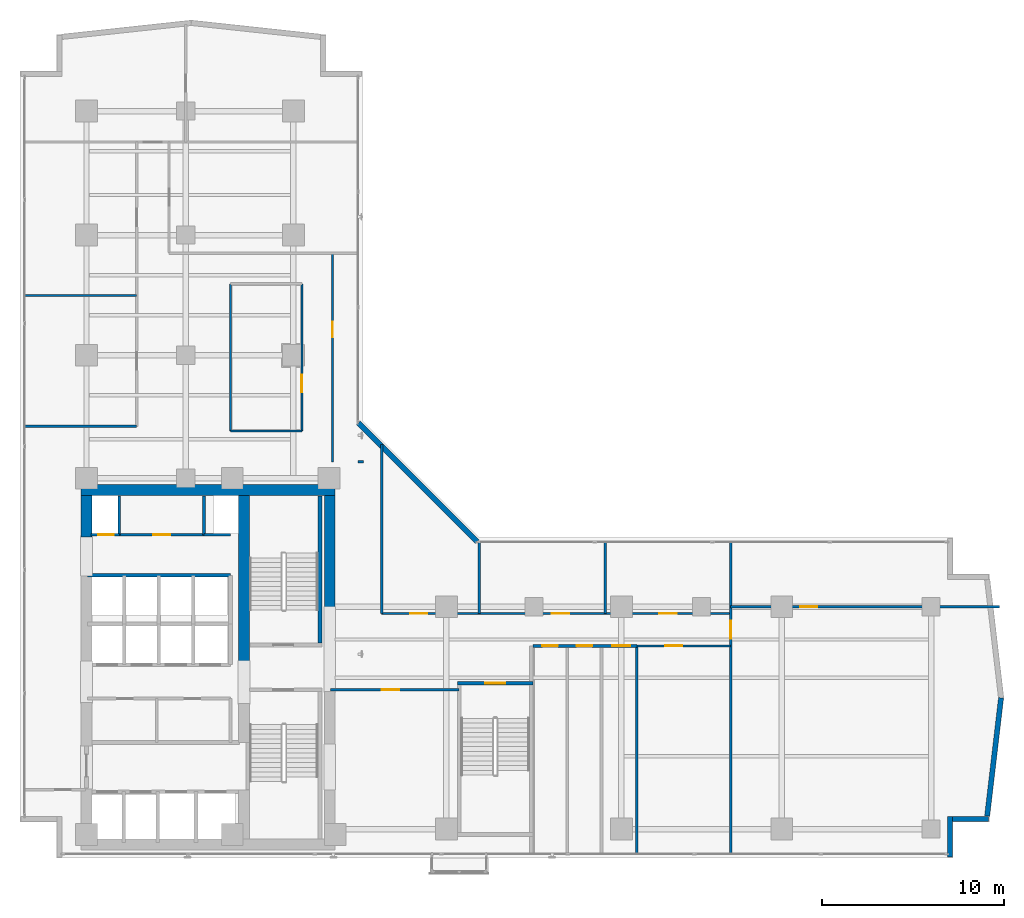
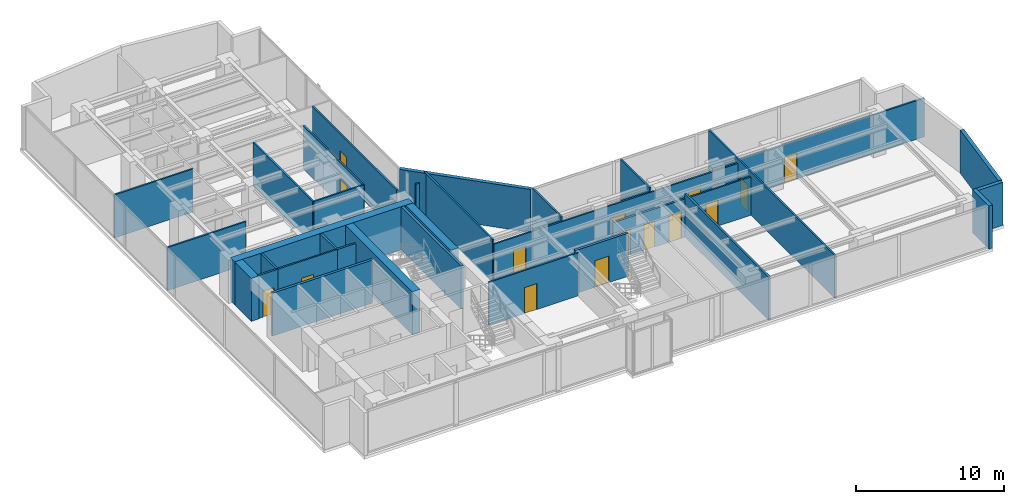
# One storey, part 20 of 24: 33 walls, 15 doors, 15 openings.
"""IFC4 building model written with IfcOpenShell, lengths in metres."""

import ifcopenshell
import ifcopenshell.guid

model = None  # the IFC model being written
_history = None  # IfcOwnerHistory: only IFC2X3 demands one
_inside = {}  # id of a spatial element -> (the spatial element, [elements in it])
_under = {}  # id of a project, library or spatial element -> (it, [spatial elements below it])
_declared = {}  # id of a project -> (the project, [libraries it declares])
_typed = {}  # id of a type object -> (the type object, [elements of that type])
_made_of = {}  # id of a material, layer set ... -> (it, [elements and type objects made of it])


def new_model(schema):
    """Start an empty IFC model of exactly this schema.

    Asked for "IFC4X3", IfcOpenShell would pick the latest addendum, in which some entities
    have other attributes; the version numbers below select the first issue.
    IFC2X3 requires an IfcOwnerHistory on every rooted entity: one is made here for all.
    """
    global model, _history
    if schema == "IFC4X3":
        model = ifcopenshell.file(schema_version=(4, 3, 0, 0))
    else:
        model = ifcopenshell.file(schema=schema)
    _inside.clear()
    _under.clear()
    _declared.clear()
    _typed.clear()
    _made_of.clear()
    _history = None
    if model.schema == "IFC2X3":
        org = make("IfcOrganization", Name="unknown")
        user = make(
            "IfcPersonAndOrganization",
            ThePerson=make("IfcPerson", FamilyName="unknown"),
            TheOrganization=org,
        )
        app = make(
            "IfcApplication",
            ApplicationDeveloper=org,
            Version="unknown",
            ApplicationFullName="unknown",
            ApplicationIdentifier="unknown",
        )
        _history = make(
            "IfcOwnerHistory",
            OwningUser=user,
            OwningApplication=app,
            ChangeAction="ADDED",
            CreationDate=0,
        )
    return model


def make(cls, **values):
    """One entity of the class cls with the attributes given. An attribute that is None is left unset."""
    return model.create_entity(
        cls, **{name: value for name, value in values.items() if value is not None}
    )


def rooted(cls, **values):
    """An entity with a GlobalId (a new one), such as an element, a storey or a relation."""
    return make(cls, GlobalId=ifcopenshell.guid.new(), OwnerHistory=_history, **values)


def si_unit(unit_type, name, prefix=None):
    """IfcSIUnit, for example si_unit("LENGTHUNIT", "METRE", prefix="MILLI")."""
    return make("IfcSIUnit", UnitType=unit_type, Prefix=prefix, Name=name)


def assignment(units):
    """IfcUnitAssignment: the units of a project."""
    return None if units is None else make("IfcUnitAssignment", Units=units)


def point(xyz):
    """IfcCartesianPoint."""
    return None if xyz is None else make("IfcCartesianPoint", Coordinates=xyz)


def direction(xyz):
    """IfcDirection."""
    return None if xyz is None else make("IfcDirection", DirectionRatios=xyz)


def frame(location, z_axis=None, x_axis=None):
    """IfcAxis2Placement3D, a coordinate frame: its origin and axes. An axis left out is left unset."""
    return make(
        "IfcAxis2Placement3D",
        Location=point(location),
        Axis=direction(z_axis),
        RefDirection=direction(x_axis),
    )


def frame_2d(location, x_axis=None):
    """IfcAxis2Placement2D, a coordinate frame in the plane: its origin and x axis."""
    return make(
        "IfcAxis2Placement2D", Location=point(location), RefDirection=direction(x_axis)
    )


def origin():
    """The frame at (0, 0, 0) with its axes left unset."""
    return frame((0.0, 0.0, 0.0))


def place(relative_to, where):
    """IfcLocalPlacement: puts the frame where relative to a parent placement (None: the world)."""
    return make(
        "IfcLocalPlacement", PlacementRelTo=relative_to, RelativePlacement=where
    )


def context(
    kind, dimensions, precision=None, world=None, true_north=None, identifier=None
):
    """IfcGeometricRepresentationContext, for example the 3D "Model" context."""
    return make(
        "IfcGeometricRepresentationContext",
        ContextIdentifier=identifier,
        ContextType=kind,
        CoordinateSpaceDimension=dimensions,
        Precision=precision,
        WorldCoordinateSystem=world,
        TrueNorth=true_north,
    )


def subcontext(parent, identifier, kind, view, scale=None):
    """IfcGeometricRepresentationSubContext, for example "Body" below "Model"."""
    return make(
        "IfcGeometricRepresentationSubContext",
        ContextIdentifier=identifier,
        ContextType=kind,
        ParentContext=parent,
        TargetScale=scale,
        TargetView=view,
    )


def project(units=None, contexts=None):
    """IfcProject with its units and contexts."""
    return rooted(
        "IfcProject",
        Name="project",
        RepresentationContexts=contexts,
        UnitsInContext=assignment(units),
    )


def spatial(cls, under=None, at=None, **own):
    """A site, building, storey or space (cls), placed at a placement, below another one or the project."""
    s = rooted(cls, ObjectPlacement=at, **own)
    if under is not None:
        _under.setdefault(under.id(), (under, []))[1].append(s)
    return s


def profile(cls, at=None, kind="AREA", **sizes):
    """A parametric profile (cls). Its sizes go by their IFC names, for example OverallWidth=200.0."""
    return make(cls, ProfileType=kind, Position=at, **sizes)


def rectangle(**sizes):
    """IfcRectangleProfileDef."""
    return profile("IfcRectangleProfileDef", **sizes)


def extrude(swept, where, along, depth):
    """IfcExtrudedAreaSolid: the profile swept, set in the frame where, extruded along a direction by depth."""
    return make(
        "IfcExtrudedAreaSolid",
        SweptArea=swept,
        Position=where,
        ExtrudedDirection=direction(along),
        Depth=depth,
    )


def shape(context_of_items, identifier, shape_type, items):
    """IfcShapeRepresentation: the items that make up one representation, for example the "Body"."""
    return make(
        "IfcShapeRepresentation",
        ContextOfItems=context_of_items,
        RepresentationIdentifier=identifier,
        RepresentationType=shape_type,
        Items=items,
    )


def material(Name=None, Category=None):
    """IfcMaterial."""
    return make("IfcMaterial", Name=Name, Category=Category)


def layer(
    of_material, thickness, ventilated=None, Name=None, Category=None, Priority=None
):
    """IfcMaterialLayer: one layer of a wall or slab, of a material (None: an air gap)."""
    return make(
        "IfcMaterialLayer",
        Material=of_material,
        LayerThickness=thickness,
        IsVentilated=ventilated,
        Name=Name,
        Category=Category,
        Priority=Priority,
    )


def layer_set(layers, Name=None):
    """IfcMaterialLayerSet."""
    return make("IfcMaterialLayerSet", MaterialLayers=layers, LayerSetName=Name)


def made_of(thing, what):
    """Note that an element or type object is made of a material, layer set ...; save() writes the relation."""
    if what is not None:
        _made_of.setdefault(what.id(), (what, []))[1].append(thing)
    return thing


def type_object(cls, material=None, **own):
    """A type object (cls), such as IfcWallType, which elements share."""
    return made_of(rooted(cls, **own), material)


def element(
    cls,
    number,
    at=None,
    inside=None,
    cuts=None,
    type_object=None,
    material=None,
    context=None,
    identifier="Body",
    shape_type=None,
    held_by="IfcProductDefinitionShape",
    body=None,
    shapes=None,
    **own,
):
    """One element of the class cls, such as IfcWall. Its Tag is "e" and its number.

    at: its placement. inside: the storey or other place that contains it. cuts: it is an
    opening in that element (IfcRelVoidsElement). A single representation is given by context,
    identifier, shape_type and body (its items); several are given by shapes. held_by: the class
    of the entity that holds the representations. save() writes the other relations.
    """
    e = rooted(cls, Tag="e%d" % number, ObjectPlacement=at, **own)
    if body is not None:
        shapes = [shape(context, identifier, shape_type, body)]
    if shapes is not None:
        e.Representation = make(held_by, Representations=shapes)
    if inside is not None:
        _inside.setdefault(inside.id(), (inside, []))[1].append(e)
    if cuts is not None:
        rooted(
            "IfcRelVoidsElement", RelatingBuildingElement=cuts, RelatedOpeningElement=e
        )
    if type_object is not None:
        _typed.setdefault(type_object.id(), (type_object, []))[1].append(e)
    return made_of(e, material)


def fill(opening, filler):
    """IfcRelFillsElement: the door or window that sits in an opening."""
    return rooted(
        "IfcRelFillsElement",
        RelatingOpeningElement=opening,
        RelatedBuildingElement=filler,
    )


def aggregate(whole, parts):
    """IfcRelAggregates: a whole, such as a stair, and the parts it consists of."""
    return rooted("IfcRelAggregates", RelatingObject=whole, RelatedObjects=parts)


def save(model, path):
    """Write the relations noted so far, then the file.

    IfcRelAggregates (storeys below a building ...), IfcRelContainedInSpatialStructure (elements
    in a storey), IfcRelDefinesByType, IfcRelAssociatesMaterial and IfcRelDeclares: one each for
    every whole, place, type object, material and project.
    """
    for whole, parts in _under.values():
        aggregate(whole, parts)
    for where, things in _inside.values():
        rooted(
            "IfcRelContainedInSpatialStructure",
            RelatedElements=things,
            RelatingStructure=where,
        )
    for kind, things in _typed.values():
        rooted("IfcRelDefinesByType", RelatedObjects=things, RelatingType=kind)
    for what, things in _made_of.values():
        rooted("IfcRelAssociatesMaterial", RelatedObjects=things, RelatingMaterial=what)
    for by, libraries in _declared.values():
        rooted("IfcRelDeclares", RelatingContext=by, RelatedDefinitions=libraries)
    model.write(path)


model = new_model("IFC4")

# Units and contexts
model_context = context("Model", 3, precision=1e-05, world=origin(), true_north=direction((0.0, 1.0)))
body_context = subcontext(model_context, "Body", "Model", "MODEL_VIEW")
ifc_project = project(units=[si_unit("LENGTHUNIT", "METRE"), si_unit("AREAUNIT", "SQUARE_METRE"), si_unit("VOLUMEUNIT", "CUBIC_METRE"), si_unit("PLANEANGLEUNIT", "RADIAN"), si_unit("MASSUNIT", "GRAM", prefix="KILO")], contexts=[model_context])

# Site, building, storey
site_placement = place(None, origin())
site = spatial("IfcSite", under=ifc_project, at=site_placement, CompositionType="ELEMENT")
building_placement = place(site_placement, origin())
building = spatial("IfcBuilding", under=site, at=building_placement, Name="Kolvaren Waterfront Exchange", CompositionType="ELEMENT")
storey_placement = place(building_placement, frame((0.0, 0.0, 184.199951171875)))
storey = spatial("IfcBuildingStorey", under=building, at=storey_placement, Name="L47", CompositionType="ELEMENT", Elevation=184.199951171875)

# Walls
ifc_material_1 = material(Name="Precast concrete C40/50", Category="concrete")
ifc_layer_1 = layer(ifc_material_1, 0.280029296875, Name="Precast concrete C40/50")
ifc_layer_set_1 = layer_set([ifc_layer_1], Name="Precast concrete C40/50")
wall_type_1 = type_object("IfcWallType", Name="ARC-EXT-TERR-280", PredefinedType="SOLIDWALL", material=ifc_layer_set_1)
wall_1_placement = place(storey_placement, frame((54.840087890625, 3.659912109375, 0.0), z_axis=(0.0, 0.0, 1.0), x_axis=(0.0, 1.0, 0.0)))
element("IfcWall", 1, at=wall_1_placement, inside=storey, type_object=wall_type_1, Name="L47 notched corner spandrel pier SE-A", PredefinedType="SOLIDWALL", context=body_context, shape_type="SweptSolid", body=[
    extrude(rectangle(XDim=2.239990234375, YDim=0.280029296875, at=frame_2d((1.1201171875, 0.0))), origin(), (0.0, 0.0, 1.0), 3.56005859375),
])
wall_2_placement = place(storey_placement, frame((54.97998046875, 5.760009765625, 0.0), z_axis=(0.0, 0.0, 1.0), x_axis=(1.0, 0.0, 0.0)))
element("IfcWall", 2, at=wall_2_placement, inside=storey, type_object=wall_type_1, Name="L47 notched corner spandrel pier SE-B", PredefinedType="SOLIDWALL", context=body_context, shape_type="SweptSolid", body=[
    extrude(rectangle(XDim=1.9599609375, YDim=0.280029296875, at=frame_2d((0.97998046875, 0.0))), origin(), (0.0, 0.0, 1.0), 3.56005859375),
])
wall_3_placement = place(storey_placement, frame((28.885009765625, 20.97509765625, 0.0), z_axis=(0.0, 0.0, 1.0), x_axis=(-0.707106781187, 0.707106781187, 0.0)))
element("IfcWall", 3, at=wall_3_placement, inside=storey, type_object=wall_type_1, Name="L47 notched corner spandrel pier ELBOW", PredefinedType="SOLIDWALL", context=body_context, shape_type="SweptSolid", body=[
    extrude(rectangle(XDim=9.20654296875, YDim=0.280029296875, at=frame_2d((4.603271484375, 0.0))), origin(), (0.0, 0.0, 1.0), 3.56005859375),
])
wall_4_placement = place(storey_placement, frame((56.876220703125, 5.91650390625, 0.0), z_axis=(0.0, 0.0, 1.0), x_axis=(0.11685426921, 0.993149072278, 0.0)))
element("IfcWall", 4, at=wall_4_placement, inside=storey, type_object=wall_type_1, Name="L47 east prow faceted facade wall 1", PredefinedType="SOLIDWALL", context=body_context, shape_type="SweptSolid", body=[
    extrude(rectangle(XDim=6.52685546875, YDim=0.280029296875, at=frame_2d((3.263427734375, 0.0))), origin(), (0.0, 0.0, 1.0), 3.56005859375),
])

# Wall, opening, door
ifc_material_2 = material(Name="Acoustic gypsum steel stud", Category="steel")
ifc_layer_2 = layer(ifc_material_2, 0.125, Name="Acoustic gypsum steel stud")
ifc_layer_set_2 = layer_set([ifc_layer_2], Name="Acoustic gypsum steel stud")
wall_type_2 = type_object("IfcWallType", Name="ARC-PART-125", PredefinedType="PARTITIONING", material=ifc_layer_set_2)
wall_5_placement = place(storey_placement, frame((9.25, 21.35009765625, 0.0), z_axis=(0.0, 0.0, 1.0), x_axis=(1.0, 0.0, 0.0)))
wall_5 = element("IfcWall", 5, at=wall_5_placement, inside=storey, type_object=wall_type_2, Name="L47 interior wall PW-L47-SVC-EX-S", PredefinedType="PARTITIONING", context=body_context, shape_type="SweptSolid", body=[
    extrude(rectangle(XDim=4.64990234375, YDim=0.125, at=frame_2d((2.324951171875, 0.0))), origin(), (0.0, 0.0, 1.0), 3.56005859375),
])
opening_1_placement = place(wall_5_placement, frame((1.85009765625, 0.0, 0.0)))
opening_1 = element("IfcOpeningElement", 6, at=opening_1_placement, cuts=wall_5, Name="Opening D02", PredefinedType="OPENING", context=body_context, shape_type="SweptSolid", body=[
    extrude(rectangle(XDim=0.949951171875, YDim=2.14990234375, at=frame_2d((0.47509765625, 1.074951171875))), frame((0.0, 0.072509765625, 0.0), z_axis=(0.0, -1.0, 0.0), x_axis=(1.0, 0.0, 0.0)), (0.0, 0.0, 1.0), 0.14501953125),
])
ifc_material_3 = material(Name="Oak veneer acoustic timber", Category="wood")
door_type_1 = type_object("IfcDoorType", Name="ARC-DR-950", OperationType="NOTDEFINED", PredefinedType="DOOR", material=ifc_material_3)
door_1_placement = place(opening_1_placement, origin())
door_1 = element("IfcDoor", 7, at=door_1_placement, inside=storey, type_object=door_type_1, Name="L47 door DR-L47-SVC-DR-1 (D02)", OperationType="SINGLE_SWING_LEFT", OverallHeight=2.14990234375, OverallWidth=0.949951171875, PredefinedType="DOOR", context=body_context, shape_type="SweptSolid", body=[
    extrude(rectangle(XDim=0.949951171875, YDim=2.14990234375, at=frame_2d((0.47509765625, 1.074951171875))), frame((0.0, 0.02490234375, 0.0), z_axis=(0.0, -1.0, 0.0), x_axis=(1.0, 0.0, 0.0)), (0.0, 0.0, 1.0), 0.050048828125),
])
fill(opening_1, door_1)

# Walls
wall_6_placement = place(storey_placement, frame((15.35009765625, 27.050048828125, 0.0), z_axis=(0.0, 0.0, 1.0), x_axis=(1.0, 0.0, 0.0)))
element("IfcWall", 8, at=wall_6_placement, inside=storey, type_object=wall_type_2, Name="L47 interior wall PW-L47-ISL-S", PredefinedType="PARTITIONING", context=body_context, shape_type="SweptSolid", body=[
    extrude(rectangle(XDim=3.919921875, YDim=0.125, at=frame_2d((1.9599609375, 0.0))), origin(), (0.0, 0.0, 1.0), 3.56005859375),
])
wall_7_placement = place(storey_placement, frame((15.35009765625, 27.050048828125, 0.0), z_axis=(0.0, 0.0, 1.0), x_axis=(0.0, 1.0, 0.0)))
element("IfcWall", 9, at=wall_7_placement, inside=storey, type_object=wall_type_2, Name="L47 interior wall PW-L47-ISL-W", PredefinedType="PARTITIONING", context=body_context, shape_type="SweptSolid", body=[
    extrude(rectangle(XDim=8.070068359375, YDim=0.125, at=frame_2d((4.03515625, 0.0))), origin(), (0.0, 0.0, 1.0), 3.56005859375),
])

# Wall, opening, door
wall_8_placement = place(storey_placement, frame((19.27001953125, 27.050048828125, 0.0), z_axis=(0.0, 0.0, 1.0), x_axis=(0.0, 1.0, 0.0)))
wall_8 = element("IfcWall", 10, at=wall_8_placement, inside=storey, type_object=wall_type_2, Name="L47 interior wall PW-L47-ISL-E", PredefinedType="PARTITIONING", context=body_context, shape_type="SweptSolid", body=[
    extrude(rectangle(XDim=8.070068359375, YDim=0.125, at=frame_2d((4.03515625, 0.0))), origin(), (0.0, 0.0, 1.0), 3.56005859375),
])
opening_2_placement = place(wall_8_placement, frame((2.126708984375, 0.0, 0.0)))
opening_2 = element("IfcOpeningElement", 11, at=opening_2_placement, cuts=wall_8, Name="Opening D02", PredefinedType="OPENING", context=body_context, shape_type="SweptSolid", body=[
    extrude(rectangle(XDim=0.949951171875, YDim=2.14990234375, at=frame_2d((0.47509765625, 1.074951171875))), frame((0.0, 0.072509765625, 0.0), z_axis=(0.0, -1.0, 0.0), x_axis=(1.0, 0.0, 0.0)), (0.0, 0.0, 1.0), 0.14501953125),
])
door_2_placement = place(opening_2_placement, origin())
door_2 = element("IfcDoor", 12, at=door_2_placement, inside=storey, type_object=door_type_1, Name="L47 door DR-L47-ISL-D (D02)", OperationType="SINGLE_SWING_RIGHT", OverallHeight=2.14990234375, OverallWidth=0.949951171875, PredefinedType="DOOR", context=body_context, shape_type="SweptSolid", body=[
    extrude(rectangle(XDim=0.949951171875, YDim=2.14990234375, at=frame_2d((0.47509765625, 1.074951171875))), frame((0.0, 0.02490234375, 0.0), z_axis=(0.0, -1.0, 0.0), x_axis=(1.0, 0.0, 0.0)), (0.0, 0.0, 1.0), 0.050048828125),
])
fill(opening_2, door_2)

wall_9_placement = place(storey_placement, frame((20.85009765625, 12.85009765625, 0.0), z_axis=(0.0, 0.0, 1.0), x_axis=(1.0, 0.0, 0.0)))
wall_9 = element("IfcWall", 13, at=wall_9_placement, inside=storey, type_object=wall_type_2, Name="L47 interior wall PW-L47-SWST3-N", PredefinedType="PARTITIONING", context=body_context, shape_type="SweptSolid", body=[
    extrude(rectangle(XDim=7.0498046875, YDim=0.125, at=frame_2d((3.52490234375, 0.0))), origin(), (0.0, 0.0, 1.0), 3.56005859375),
])
opening_3_placement = place(wall_9_placement, frame((2.800048828125, 0.0, 0.0)))
opening_3 = element("IfcOpeningElement", 14, at=opening_3_placement, cuts=wall_9, Name="Opening D02", PredefinedType="OPENING", context=body_context, shape_type="SweptSolid", body=[
    extrude(rectangle(XDim=0.949951171875, YDim=2.14990234375, at=frame_2d((0.47509765625, 1.074951171875))), frame((0.0, 0.072509765625, 0.0), z_axis=(0.0, -1.0, 0.0), x_axis=(1.0, 0.0, 0.0)), (0.0, 0.0, 1.0), 0.14501953125),
])
door_3_placement = place(opening_3_placement, origin())
door_3 = element("IfcDoor", 15, at=door_3_placement, inside=storey, type_object=door_type_1, Name="L47 door DR-L47-SWST3-D (D02)", OperationType="SINGLE_SWING_LEFT", OverallHeight=2.14990234375, OverallWidth=0.949951171875, PredefinedType="DOOR", context=body_context, shape_type="SweptSolid", body=[
    extrude(rectangle(XDim=0.949951171875, YDim=2.14990234375, at=frame_2d((0.47509765625, 1.074951171875))), frame((0.0, 0.02490234375, 0.0), z_axis=(0.0, -1.0, 0.0), x_axis=(1.0, 0.0, 0.0)), (0.0, 0.0, 1.0), 0.050048828125),
])
fill(opening_3, door_3)

wall_10_placement = place(storey_placement, frame((20.949951171875, 25.35009765625, 0.0), z_axis=(0.0, 0.0, 1.0), x_axis=(0.0, 1.0, 0.0)))
wall_10 = element("IfcWall", 16, at=wall_10_placement, inside=storey, type_object=wall_type_2, Name="L47 interior wall PW-L47-RFLANK-W", PredefinedType="PARTITIONING", context=body_context, shape_type="SweptSolid", body=[
    extrude(rectangle(XDim=11.449951171875, YDim=0.125, at=frame_2d((5.72509765625, 0.0))), origin(), (0.0, 0.0, 1.0), 3.56005859375),
])
opening_4_placement = place(wall_10_placement, frame((6.834716796875, 0.0, 0.0)))
opening_4 = element("IfcOpeningElement", 17, at=opening_4_placement, cuts=wall_10, Name="Opening D01", PredefinedType="OPENING", context=body_context, shape_type="SweptSolid", body=[
    extrude(rectangle(XDim=0.85009765625, YDim=2.14990234375, at=frame_2d((0.425048828125, 1.074951171875))), frame((0.0, 0.072509765625, 0.0), z_axis=(0.0, -1.0, 0.0), x_axis=(1.0, 0.0, 0.0)), (0.0, 0.0, 1.0), 0.14501953125),
])
ifc_material_4 = material(Name="Oak veneer timber leaf", Category="wood")
door_type_2 = type_object("IfcDoorType", Name="ARC-DR-900", OperationType="NOTDEFINED", PredefinedType="DOOR", material=ifc_material_4)
door_4_placement = place(opening_4_placement, origin())
door_4 = element("IfcDoor", 18, at=door_4_placement, inside=storey, type_object=door_type_2, Name="L47 door DR-L47-RFLANK-D (D01)", OperationType="SINGLE_SWING_RIGHT", OverallHeight=2.14990234375, OverallWidth=0.85009765625, PredefinedType="DOOR", context=body_context, shape_type="SweptSolid", body=[
    extrude(rectangle(XDim=0.85009765625, YDim=2.14990234375, at=frame_2d((0.425048828125, 1.074951171875))), frame((0.0, 0.02490234375, 0.0), z_axis=(0.0, -1.0, 0.0), x_axis=(1.0, 0.0, 0.0)), (0.0, 0.0, 1.0), 0.050048828125),
])
fill(opening_4, door_4)

# Wall
wall_11_placement = place(storey_placement, frame((22.64990234375, 25.35009765625, 0.0), z_axis=(0.0, 0.0, 1.0), x_axis=(-1.0, 0.0, 0.0)))
element("IfcWall", 19, at=wall_11_placement, inside=storey, type_object=wall_type_2, Name="L47 interior wall PW-L47-RFLANK-S", PredefinedType="PARTITIONING", context=body_context, shape_type="SweptSolid", body=[
    extrude(rectangle(XDim=0.289794921875, YDim=0.125, at=frame_2d((0.14501953125, 0.0))), origin(), (0.0, 0.0, 1.0), 3.56005859375),
])

# Wall, opening, door
wall_12_placement = place(storey_placement, frame((37.64990234375, 15.25, 0.0), z_axis=(0.0, 0.0, 1.0), x_axis=(1.0, 0.0, 0.0)))
wall_12 = element("IfcWall", 20, at=wall_12_placement, inside=storey, type_object=wall_type_2, Name="L47 interior wall PW-L47-ES-CORR", PredefinedType="PARTITIONING", context=body_context, shape_type="SweptSolid", body=[
    extrude(rectangle(XDim=5.150146484375, YDim=0.125, at=frame_2d((2.5751953125, 0.0))), origin(), (0.0, 0.0, 1.0), 3.16015625),
])
opening_5_placement = place(wall_12_placement, frame((1.552978515625, 0.0, 0.0)))
opening_5 = element("IfcOpeningElement", 21, at=opening_5_placement, cuts=wall_12, Name="Opening D02", PredefinedType="OPENING", context=body_context, shape_type="SweptSolid", body=[
    extrude(rectangle(XDim=0.949951171875, YDim=2.14990234375, at=frame_2d((0.47509765625, 1.074951171875))), frame((0.0, 0.072509765625, 0.0), z_axis=(0.0, -1.0, 0.0), x_axis=(1.0, 0.0, 0.0)), (0.0, 0.0, 1.0), 0.14501953125),
])
door_5_placement = place(opening_5_placement, origin())
door_5 = element("IfcDoor", 22, at=door_5_placement, inside=storey, type_object=door_type_1, Name="L47 door DR-L47-ES-D-1 (D02)", OperationType="SINGLE_SWING_LEFT", OverallHeight=2.14990234375, OverallWidth=0.949951171875, PredefinedType="DOOR", context=body_context, shape_type="SweptSolid", body=[
    extrude(rectangle(XDim=0.949951171875, YDim=2.14990234375, at=frame_2d((0.47509765625, 1.074951171875))), frame((0.0, 0.02490234375, 0.0), z_axis=(0.0, -1.0, 0.0), x_axis=(1.0, 0.0, 0.0)), (0.0, 0.0, 1.0), 0.050048828125),
])
fill(opening_5, door_5)

wall_13_placement = place(storey_placement, frame((42.800048828125, 3.840087890625, 0.0), z_axis=(0.0, 0.0, 1.0), x_axis=(0.0, 1.0, 0.0)))
wall_13 = element("IfcWall", 23, at=wall_13_placement, inside=storey, type_object=wall_type_2, Name="L47 interior wall PW-L47-ETIP-W", PredefinedType="PARTITIONING", context=body_context, shape_type="SweptSolid", body=[
    extrude(rectangle(XDim=17.119873046875, YDim=0.125, at=frame_2d((8.56005859375, 0.0))), origin(), (0.0, 0.0, 1.0), 3.56005859375),
])
opening_6_placement = place(wall_13_placement, frame((11.800048828125, 0.0, 0.0)))
opening_6 = element("IfcOpeningElement", 24, at=opening_6_placement, cuts=wall_13, Name="Opening D03", PredefinedType="OPENING", context=body_context, shape_type="SweptSolid", body=[
    extrude(rectangle(XDim=1.0, YDim=2.199951171875, at=frame_2d((0.5, 1.10009765625))), frame((0.0, 0.072509765625, 0.0), z_axis=(0.0, -1.0, 0.0), x_axis=(1.0, 0.0, 0.0)), (0.0, 0.0, 1.0), 0.14501953125),
])
ifc_material_5 = material(Name="Oak veneer accessible timber", Category="wood")
door_type_3 = type_object("IfcDoorType", Name="ARC-DR-1000", OperationType="NOTDEFINED", PredefinedType="DOOR", material=ifc_material_5)
door_6_placement = place(opening_6_placement, origin())
door_6 = element("IfcDoor", 25, at=door_6_placement, inside=storey, type_object=door_type_3, Name="L47 door DR-L47-ETIP1-D (D03)", OperationType="SINGLE_SWING_RIGHT", OverallHeight=2.199951171875, OverallWidth=1.0, PredefinedType="DOOR", context=body_context, shape_type="SweptSolid", body=[
    extrude(rectangle(XDim=1.0, YDim=2.199951171875, at=frame_2d((0.5, 1.10009765625))), frame((0.0, 0.02490234375, 0.0), z_axis=(0.0, -1.0, 0.0), x_axis=(1.0, 0.0, 0.0)), (0.0, 0.0, 1.0), 0.050048828125),
])
fill(opening_6, door_6)

wall_14_placement = place(storey_placement, frame((42.800048828125, 17.39990234375, 0.0), z_axis=(0.0, 0.0, 1.0), x_axis=(1.0, 0.0, 0.0)))
wall_14 = element("IfcWall", 26, at=wall_14_placement, inside=storey, type_object=wall_type_2, Name="L47 interior wall PW-L47-ETIP-MID", PredefinedType="PARTITIONING", context=body_context, shape_type="SweptSolid", body=[
    extrude(rectangle(XDim=14.760009765625, YDim=0.125, at=frame_2d((7.3798828125, 0.0))), origin(), (0.0, 0.0, 1.0), 3.199951171875),
])
opening_7_placement = place(wall_14_placement, frame((3.8125, 0.0, 0.0)))
opening_7 = element("IfcOpeningElement", 27, at=opening_7_placement, cuts=wall_14, Name="Opening D02", PredefinedType="OPENING", context=body_context, shape_type="SweptSolid", body=[
    extrude(rectangle(XDim=0.949951171875, YDim=2.14990234375, at=frame_2d((0.47509765625, 1.074951171875))), frame((0.0, 0.072509765625, 0.0), z_axis=(0.0, -1.0, 0.0), x_axis=(1.0, 0.0, 0.0)), (0.0, 0.0, 1.0), 0.14501953125),
])
door_7_placement = place(opening_7_placement, origin())
door_7 = element("IfcDoor", 28, at=door_7_placement, inside=storey, type_object=door_type_1, Name="L47 door DR-L47-ETIP2-D (D02)", OperationType="SINGLE_SWING_LEFT", OverallHeight=2.14990234375, OverallWidth=0.949951171875, PredefinedType="DOOR", context=body_context, shape_type="SweptSolid", body=[
    extrude(rectangle(XDim=0.949951171875, YDim=2.14990234375, at=frame_2d((0.47509765625, 1.074951171875))), frame((0.0, 0.02490234375, 0.0), z_axis=(0.0, -1.0, 0.0), x_axis=(1.0, 0.0, 0.0)), (0.0, 0.0, 1.0), 0.050048828125),
])
fill(opening_7, door_7)

# Wall
wall_15_placement = place(storey_placement, frame((23.64990234375, 17.030029296875, 0.0), z_axis=(0.0, 0.0, 1.0), x_axis=(0.0, 1.0, 0.0)))
element("IfcWall", 29, at=wall_15_placement, inside=storey, type_object=wall_type_2, Name="L47 interior wall PW-L47-EN-W0", PredefinedType="PARTITIONING", context=body_context, shape_type="SweptSolid", body=[
    extrude(rectangle(XDim=9.280029296875, YDim=0.125, at=frame_2d((4.64013671875, 0.0))), origin(), (0.0, 0.0, 1.0), 3.56005859375),
])

# Wall, openings, doors
wall_16_placement = place(storey_placement, frame((23.64990234375, 17.030029296875, 0.0), z_axis=(0.0, 0.0, 1.0), x_axis=(1.0, 0.0, 0.0)))
wall_16 = element("IfcWall", 30, at=wall_16_placement, inside=storey, type_object=wall_type_2, Name="L47 interior wall PW-L47-EN-CORR", PredefinedType="PARTITIONING", context=body_context, shape_type="SweptSolid", body=[
    extrude(rectangle(XDim=19.150146484375, YDim=0.125, at=frame_2d((9.5751953125, 0.0))), origin(), (0.0, 0.0, 1.0), 3.199951171875),
])
opening_8_placement = place(wall_16_placement, frame((1.55517578125, 0.0, 0.0)))
opening_8 = element("IfcOpeningElement", 31, at=opening_8_placement, cuts=wall_16, Name="Opening D02", PredefinedType="OPENING", context=body_context, shape_type="SweptSolid", body=[
    extrude(rectangle(XDim=0.949951171875, YDim=2.14990234375, at=frame_2d((0.47509765625, 1.074951171875))), frame((0.0, 0.072509765625, 0.0), z_axis=(0.0, -1.0, 0.0), x_axis=(1.0, 0.0, 0.0)), (0.0, 0.0, 1.0), 0.14501953125),
])
opening_9_placement = place(wall_16_placement, frame((9.33642578125, 0.0, 0.0)))
opening_9 = element("IfcOpeningElement", 32, at=opening_9_placement, cuts=wall_16, Name="Opening D02", PredefinedType="OPENING", context=body_context, shape_type="SweptSolid", body=[
    extrude(rectangle(XDim=0.949951171875, YDim=2.14990234375, at=frame_2d((0.47509765625, 1.074951171875))), frame((0.0, 0.072509765625, 0.0), z_axis=(0.0, -1.0, 0.0), x_axis=(1.0, 0.0, 0.0)), (0.0, 0.0, 1.0), 0.14501953125),
])
opening_10_placement = place(wall_16_placement, frame((15.22998046875, 0.0, 0.0)))
opening_10 = element("IfcOpeningElement", 33, at=opening_10_placement, cuts=wall_16, Name="Opening D02", PredefinedType="OPENING", context=body_context, shape_type="SweptSolid", body=[
    extrude(rectangle(XDim=0.949951171875, YDim=2.14990234375, at=frame_2d((0.47509765625, 1.074951171875))), frame((0.0, 0.072509765625, 0.0), z_axis=(0.0, -1.0, 0.0), x_axis=(1.0, 0.0, 0.0)), (0.0, 0.0, 1.0), 0.14501953125),
])
door_8_placement = place(opening_8_placement, origin())
door_8 = element("IfcDoor", 34, at=door_8_placement, inside=storey, type_object=door_type_1, Name="L47 door DR-L47-EN-D-1 (D02)", OperationType="SINGLE_SWING_RIGHT", OverallHeight=2.14990234375, OverallWidth=0.949951171875, PredefinedType="DOOR", context=body_context, shape_type="SweptSolid", body=[
    extrude(rectangle(XDim=0.949951171875, YDim=2.14990234375, at=frame_2d((0.47509765625, 1.074951171875))), frame((0.0, 0.02490234375, 0.0), z_axis=(0.0, -1.0, 0.0), x_axis=(1.0, 0.0, 0.0)), (0.0, 0.0, 1.0), 0.050048828125),
])
fill(opening_8, door_8)
door_9_placement = place(opening_9_placement, origin())
door_9 = element("IfcDoor", 35, at=door_9_placement, inside=storey, type_object=door_type_1, Name="L47 door DR-L47-EN-D-2 (D02)", OperationType="SINGLE_SWING_LEFT", OverallHeight=2.14990234375, OverallWidth=0.949951171875, PredefinedType="DOOR", context=body_context, shape_type="SweptSolid", body=[
    extrude(rectangle(XDim=0.949951171875, YDim=2.14990234375, at=frame_2d((0.47509765625, 1.074951171875))), frame((0.0, 0.02490234375, 0.0), z_axis=(0.0, -1.0, 0.0), x_axis=(1.0, 0.0, 0.0)), (0.0, 0.0, 1.0), 0.050048828125),
])
fill(opening_9, door_9)
door_10_placement = place(opening_10_placement, origin())
door_10 = element("IfcDoor", 36, at=door_10_placement, inside=storey, type_object=door_type_1, Name="L47 door DR-L47-EN-D-3 (D02)", OperationType="SINGLE_SWING_RIGHT", OverallHeight=2.14990234375, OverallWidth=0.949951171875, PredefinedType="DOOR", context=body_context, shape_type="SweptSolid", body=[
    extrude(rectangle(XDim=0.949951171875, YDim=2.14990234375, at=frame_2d((0.47509765625, 1.074951171875))), frame((0.0, 0.02490234375, 0.0), z_axis=(0.0, -1.0, 0.0), x_axis=(1.0, 0.0, 0.0)), (0.0, 0.0, 1.0), 0.050048828125),
])
fill(opening_10, door_10)

# Walls
for number, where, z_axis, x_axis, name in (
    (37, (29.010009765625, 17.030029296875, 0.0), (0.0, 0.0, 1.0), (0.0, 1.0, 0.0), "L47 interior wall PW-L47-EN-DIV-1"),
    (38, (35.909912109375, 17.030029296875, 0.0), (0.0, 0.0, 1.0), (0.0, 1.0, 0.0), "L47 interior wall PW-L47-EN-DIV-2"),
):
    element("IfcWall", number, at=place(storey_placement, frame(where, z_axis=z_axis, x_axis=x_axis)), inside=storey, type_object=wall_type_2, Name=name, PredefinedType="PARTITIONING", context=body_context, shape_type="SweptSolid", body=[
        extrude(rectangle(XDim=3.929931640625, YDim=0.125, at=frame_2d((1.96484375, 0.0))), origin(), (0.0, 0.0, 1.0), 3.56005859375),
    ])
for number, where, z_axis, x_axis, name in (
    (39, (4.0400390625, 27.300048828125, 0.0), (0.0, 0.0, 1.0), (1.0, 0.0, 0.0), "L47 interior wall PW-L47-NW-S0"),
    (40, (4.0400390625, 34.47998046875, 0.0), (0.0, 0.0, 1.0), (1.0, 0.0, 0.0), "L47 interior wall PW-L47-NW-DIV-1"),
):
    element("IfcWall", number, at=place(storey_placement, frame(where, z_axis=z_axis, x_axis=x_axis)), inside=storey, type_object=wall_type_2, Name=name, PredefinedType="PARTITIONING", context=body_context, shape_type="SweptSolid", body=[
        extrude(rectangle(XDim=6.159912109375, YDim=0.125, at=frame_2d((3.080078125, 0.0))), origin(), (0.0, 0.0, 1.0), 3.56005859375),
    ])
ifc_material_6 = material(Name="Gypsum fireboard steel stud", Category="steel")
ifc_layer_3 = layer(ifc_material_6, 0.14990234375, Name="Gypsum fireboard steel stud")
ifc_layer_set_3 = layer_set([ifc_layer_3], Name="Gypsum fireboard steel stud")
wall_type_3 = type_object("IfcWallType", Name="ARC-PART-150", PredefinedType="PARTITIONING", material=ifc_layer_set_3)
for number, where, z_axis, x_axis, name in (
    (41, (9.25, 21.35009765625, 0.0), (0.0, 0.0, 1.0), (0.0, 1.0, 0.0), "L47 interior wall PW-L47-SVC-R1"),
    (42, (13.89990234375, 21.35009765625, 0.0), (0.0, 0.0, 1.0), (0.0, 1.0, 0.0), "L47 interior wall PW-L47-SVC-R2"),
):
    element("IfcWall", number, at=place(storey_placement, frame(where, z_axis=z_axis, x_axis=x_axis)), inside=storey, type_object=wall_type_3, Name=name, PredefinedType="PARTITIONING", context=body_context, shape_type="SweptSolid", body=[
        extrude(rectangle(XDim=2.1298828125, YDim=0.14990234375, at=frame_2d((1.06494140625, 0.0))), origin(), (0.0, 0.0, 1.0), 3.56005859375),
    ])

# Wall, opening, door
wall_17_placement = place(storey_placement, frame((7.699951171875, 21.35009765625, 0.0), z_axis=(0.0, 0.0, 1.0), x_axis=(1.0, 0.0, 0.0)))
wall_17 = element("IfcWall", 43, at=wall_17_placement, inside=storey, type_object=wall_type_3, Name="L47 interior wall PW-L47-SVC-RE-S", PredefinedType="PARTITIONING", context=body_context, shape_type="SweptSolid", body=[
    extrude(rectangle(XDim=1.550048828125, YDim=0.14990234375, at=frame_2d((0.77490234375, 0.0))), origin(), (0.0, 0.0, 1.0), 3.56005859375),
])
opening_11_placement = place(wall_17_placement, frame((0.389892578125, 0.0, 0.0)))
opening_11 = element("IfcOpeningElement", 44, at=opening_11_placement, cuts=wall_17, Name="Opening FD1", PredefinedType="OPENING", context=body_context, shape_type="SweptSolid", body=[
    extrude(rectangle(XDim=0.85009765625, YDim=2.14990234375, at=frame_2d((0.425048828125, 1.074951171875))), frame((0.0, 0.0849609375, 0.0), z_axis=(0.0, -1.0, 0.0), x_axis=(1.0, 0.0, 0.0)), (0.0, 0.0, 1.0), 0.169921875),
])
ifc_material_7 = material(Name="Pressed steel fire leaf", Category="steel")
door_type_4 = type_object("IfcDoorType", Name="ARC-FD-900", OperationType="NOTDEFINED", PredefinedType="DOOR", material=ifc_material_7)
door_11_placement = place(opening_11_placement, origin())
door_11 = element("IfcDoor", 45, at=door_11_placement, inside=storey, type_object=door_type_4, Name="L47 door DR-L47-RISER-E-DR (FD1)", OperationType="SINGLE_SWING_RIGHT", OverallHeight=2.14990234375, OverallWidth=0.85009765625, PredefinedType="DOOR", context=body_context, shape_type="SweptSolid", body=[
    extrude(rectangle(XDim=0.85009765625, YDim=2.14990234375, at=frame_2d((0.425048828125, 1.074951171875))), frame((0.0, 0.02490234375, 0.0), z_axis=(0.0, -1.0, 0.0), x_axis=(1.0, 0.0, 0.0)), (0.0, 0.0, 1.0), 0.050048828125),
])
fill(opening_11, door_11)

# Wall
wall_18_placement = place(storey_placement, frame((13.89990234375, 21.35009765625, 0.0), z_axis=(0.0, 0.0, 1.0), x_axis=(1.0, 0.0, 0.0)))
element("IfcWall", 46, at=wall_18_placement, inside=storey, type_object=wall_type_3, Name="L47 interior wall PW-L47-SVC-RP-S", PredefinedType="PARTITIONING", context=body_context, shape_type="SweptSolid", body=[
    extrude(rectangle(XDim=1.4501953125, YDim=0.14990234375, at=frame_2d((0.72509765625, 0.0))), origin(), (0.0, 0.0, 1.0), 3.56005859375),
])

# Wall, openings, doors
ifc_material_8 = material(Name="Moisture-resistant gypsum stud")
ifc_layer_4 = layer(ifc_material_8, 0.14990234375, Name="Moisture-resistant gypsum stud")
ifc_layer_set_4 = layer_set([ifc_layer_4], Name="Moisture-resistant gypsum stud")
wall_type_4 = type_object("IfcWallType", Name="ARC-PLUMB-150", PredefinedType="PLUMBINGWALL", material=ifc_layer_set_4)
wall_19_placement = place(storey_placement, frame((31.949951171875, 15.25, 0.0), z_axis=(0.0, 0.0, 1.0), x_axis=(1.0, 0.0, 0.0)))
wall_19 = element("IfcWall", 47, at=wall_19_placement, inside=storey, type_object=wall_type_4, Name="L47 interior wall PW-L47-WC-N", PredefinedType="PLUMBINGWALL", context=body_context, shape_type="SweptSolid", body=[
    extrude(rectangle(XDim=5.699951171875, YDim=0.14990234375, at=frame_2d((2.85009765625, 0.0))), origin(), (0.0, 0.0, 1.0), 3.16015625),
])
opening_12_placement = place(wall_19_placement, frame((0.514892578125, 0.0, 0.0)))
opening_12 = element("IfcOpeningElement", 48, at=opening_12_placement, cuts=wall_19, Name="Opening D01", PredefinedType="OPENING", context=body_context, shape_type="SweptSolid", body=[
    extrude(rectangle(XDim=0.85009765625, YDim=2.14990234375, at=frame_2d((0.425048828125, 1.074951171875))), frame((0.0, 0.0849609375, 0.0), z_axis=(0.0, -1.0, 0.0), x_axis=(1.0, 0.0, 0.0)), (0.0, 0.0, 1.0), 0.169921875),
])
opening_13_placement = place(wall_19_placement, frame((2.39501953125, 0.0, 0.0)))
opening_13 = element("IfcOpeningElement", 49, at=opening_13_placement, cuts=wall_19, Name="Opening D01", PredefinedType="OPENING", context=body_context, shape_type="SweptSolid", body=[
    extrude(rectangle(XDim=0.85009765625, YDim=2.14990234375, at=frame_2d((0.425048828125, 1.074951171875))), frame((0.0, 0.0849609375, 0.0), z_axis=(0.0, -1.0, 0.0), x_axis=(1.0, 0.0, 0.0)), (0.0, 0.0, 1.0), 0.169921875),
])
opening_14_placement = place(wall_19_placement, frame((4.35009765625, 0.0, 0.0)))
opening_14 = element("IfcOpeningElement", 50, at=opening_14_placement, cuts=wall_19, Name="Opening D03", PredefinedType="OPENING", context=body_context, shape_type="SweptSolid", body=[
    extrude(rectangle(XDim=1.0, YDim=2.199951171875, at=frame_2d((0.5, 1.10009765625))), frame((0.0, 0.0849609375, 0.0), z_axis=(0.0, -1.0, 0.0), x_axis=(1.0, 0.0, 0.0)), (0.0, 0.0, 1.0), 0.169921875),
])
door_12_placement = place(opening_14_placement, origin())
door_12 = element("IfcDoor", 51, at=door_12_placement, inside=storey, type_object=door_type_3, Name="L47 door DR-L47-WCA-D (D03)", OperationType="SINGLE_SWING_LEFT", OverallHeight=2.199951171875, OverallWidth=1.0, PredefinedType="DOOR", context=body_context, shape_type="SweptSolid", body=[
    extrude(rectangle(XDim=1.0, YDim=2.199951171875, at=frame_2d((0.5, 1.10009765625))), frame((0.0, 0.02490234375, 0.0), z_axis=(0.0, -1.0, 0.0), x_axis=(1.0, 0.0, 0.0)), (0.0, 0.0, 1.0), 0.050048828125),
])
fill(opening_14, door_12)
door_13_placement = place(opening_12_placement, origin())
door_13 = element("IfcDoor", 52, at=door_13_placement, inside=storey, type_object=door_type_2, Name="L47 door DR-L47-WCM-D (D01)", OperationType="SINGLE_SWING_LEFT", OverallHeight=2.14990234375, OverallWidth=0.85009765625, PredefinedType="DOOR", context=body_context, shape_type="SweptSolid", body=[
    extrude(rectangle(XDim=0.85009765625, YDim=2.14990234375, at=frame_2d((0.425048828125, 1.074951171875))), frame((0.0, 0.02490234375, 0.0), z_axis=(0.0, -1.0, 0.0), x_axis=(1.0, 0.0, 0.0)), (0.0, 0.0, 1.0), 0.050048828125),
])
fill(opening_12, door_13)
door_14_placement = place(opening_13_placement, origin())
door_14 = element("IfcDoor", 53, at=door_14_placement, inside=storey, type_object=door_type_2, Name="L47 door DR-L47-WCF-D (D01)", OperationType="SINGLE_SWING_RIGHT", OverallHeight=2.14990234375, OverallWidth=0.85009765625, PredefinedType="DOOR", context=body_context, shape_type="SweptSolid", body=[
    extrude(rectangle(XDim=0.85009765625, YDim=2.14990234375, at=frame_2d((0.425048828125, 1.074951171875))), frame((0.0, 0.02490234375, 0.0), z_axis=(0.0, -1.0, 0.0), x_axis=(1.0, 0.0, 0.0)), (0.0, 0.0, 1.0), 0.050048828125),
])
fill(opening_13, door_14)

# Walls
wall_20_placement = place(storey_placement, frame((37.64990234375, 3.840087890625, 0.0), z_axis=(0.0, 0.0, 1.0), x_axis=(0.0, 1.0, 0.0)))
element("IfcWall", 54, at=wall_20_placement, inside=storey, type_object=wall_type_4, Name="L47 interior wall PW-L47-WC-3", PredefinedType="PLUMBINGWALL", context=body_context, shape_type="SweptSolid", body=[
    extrude(rectangle(XDim=11.409912109375, YDim=0.14990234375, at=frame_2d((5.705078125, 0.0))), origin(), (0.0, 0.0, 1.0), 3.56005859375),
])
ifc_material_9 = material(Name="Concrete C40/50", Category="concrete")
ifc_layer_5 = layer(ifc_material_9, 0.199951171875, Name="Concrete C40/50")
ifc_layer_set_5 = layer_set([ifc_layer_5], Name="Concrete C40/50")
wall_type_5 = type_object("IfcWallType", Name="ARC-SHAFT-200", PredefinedType="PARTITIONING", material=ifc_layer_set_5)
wall_21_placement = place(storey_placement, frame((20.260009765625, 15.39990234375, 0.0), z_axis=(0.0, 0.0, 1.0), x_axis=(0.0, 1.0, 0.0)))
element("IfcWall", 55, at=wall_21_placement, inside=storey, type_object=wall_type_5, Name="L47 structural stairwell wall PW-L47-ST2-E", PredefinedType="SHEAR", context=body_context, shape_type="SweptSolid", body=[
    extrude(rectangle(XDim=8.090087890625, YDim=0.199951171875, at=frame_2d((4.044921875, 0.0))), origin(), (0.0, 0.0, 1.0), 3.56005859375),
])

# Wall, opening, door
wall_22_placement = place(storey_placement, frame((27.800048828125, 13.199951171875, 0.0), z_axis=(0.0, 0.0, 1.0), x_axis=(1.0, 0.0, 0.0)))
wall_22 = element("IfcWall", 56, at=wall_22_placement, inside=storey, type_object=wall_type_5, Name="L47 structural stairwell wall PW-L47-ST3-N", PredefinedType="SHEAR", context=body_context, shape_type="SweptSolid", body=[
    extrude(rectangle(XDim=4.159912109375, YDim=0.199951171875, at=frame_2d((2.080078125, 0.0))), origin(), (0.0, 0.0, 1.0), 3.56005859375),
])
opening_15_placement = place(wall_22_placement, frame((1.530029296875, 0.0, 0.0)))
opening_15 = element("IfcOpeningElement", 57, at=opening_15_placement, cuts=wall_22, Name="Opening FD2", PredefinedType="OPENING", context=body_context, shape_type="SweptSolid", body=[
    extrude(rectangle(XDim=1.10009765625, YDim=2.199951171875, at=frame_2d((0.550048828125, 1.10009765625))), frame((0.0, 0.10986328125, 0.0), z_axis=(0.0, -1.0, 0.0), x_axis=(1.0, 0.0, 0.0)), (0.0, 0.0, 1.0), 0.219970703125),
])
ifc_material_10 = material(Name="Pressed steel smoke-seal fire door", Category="steel")
door_type_5 = type_object("IfcDoorType", Name="ARC-FD-1100", OperationType="NOTDEFINED", PredefinedType="DOOR", material=ifc_material_10)
door_15_placement = place(opening_15_placement, frame((1.10009765625, 0.0, 0.0), z_axis=(0.0, 0.0, 1.0), x_axis=(-1.0, 0.0, 0.0)))
door_15 = element("IfcDoor", 58, at=door_15_placement, inside=storey, type_object=door_type_5, Name="L47 door DR-L47-ST3-IN (FD2)", OperationType="SINGLE_SWING_RIGHT", OverallHeight=2.199951171875, OverallWidth=1.10009765625, PredefinedType="DOOR", context=body_context, shape_type="SweptSolid", body=[
    extrude(rectangle(XDim=1.10009765625, YDim=2.199951171875, at=frame_2d((0.550048828125, 1.10009765625))), frame((0.0, 0.02490234375, 0.0), z_axis=(0.0, -1.0, 0.0), x_axis=(1.0, 0.0, 0.0)), (0.0, 0.0, 1.0), 0.050048828125),
])
fill(opening_15, door_15)

# Walls
wall_23_placement = place(storey_placement, frame((7.5, 19.1201171875, 0.0), z_axis=(0.0, 0.0, 1.0), x_axis=(1.0, 0.0, 0.0)))
element("IfcWall", 59, at=wall_23_placement, inside=storey, type_object=wall_type_5, Name="L47 interior wall PW-L47-PH-N", PredefinedType="PARTITIONING", context=body_context, shape_type="SweptSolid", body=[
    extrude(rectangle(XDim=7.85009765625, YDim=0.199951171875, at=frame_2d((3.925048828125, 0.0))), origin(), (0.0, 0.0, 1.0), 3.56005859375),
])
ifc_material_11 = material(Name="Concrete C60/75", Category="concrete")
ifc_layer_6 = layer(ifc_material_11, 0.60009765625, Name="Concrete C60/75")
ifc_layer_set_6 = layer_set([ifc_layer_6], Name="Concrete C60/75")
wall_type_6 = type_object("IfcWallType", Name="STR-CWALL-600", PredefinedType="SHEAR", material=ifc_layer_set_6)
wall_24_placement = place(storey_placement, frame((7.14990234375, 23.800048828125, 0.0), z_axis=(0.0, 0.0, 1.0), x_axis=(1.0, 0.0, 0.0)))
element("IfcWall", 60, at=wall_24_placement, inside=storey, type_object=wall_type_6, Name="L47 rear-core shear wall N", PredefinedType="SHEAR", context=body_context, shape_type="SweptSolid", body=[
    extrude(rectangle(XDim=13.9501953125, YDim=0.60009765625, at=frame_2d((6.97509765625, 0.0))), origin(), (0.0, 0.0, 1.0), 3.56005859375),
])
wall_25_placement = place(storey_placement, frame((7.449951171875, 21.239990234375, 0.0), z_axis=(0.0, 0.0, 1.0), x_axis=(0.0, 1.0, 0.0)))
element("IfcWall", 61, at=wall_25_placement, inside=storey, type_object=wall_type_6, Name="L47 rear-core shear wall W3", PredefinedType="SHEAR", context=body_context, shape_type="SweptSolid", body=[
    extrude(rectangle(XDim=2.260009765625, YDim=0.60009765625, at=frame_2d((1.1298828125, 0.0))), origin(), (0.0, 0.0, 1.0), 3.56005859375),
])
wall_26_placement = place(storey_placement, frame((20.800048828125, 17.35009765625, 0.0), z_axis=(0.0, 0.0, 1.0), x_axis=(0.0, 1.0, 0.0)))
element("IfcWall", 62, at=wall_26_placement, inside=storey, type_object=wall_type_6, Name="L47 rear-core shear wall E3", PredefinedType="SHEAR", context=body_context, shape_type="SweptSolid", body=[
    extrude(rectangle(XDim=6.14990234375, YDim=0.60009765625, at=frame_2d((3.074951171875, 0.0))), origin(), (0.0, 0.0, 1.0), 3.56005859375),
])
wall_27_placement = place(storey_placement, frame((16.10009765625, 14.39990234375, 0.0), z_axis=(0.0, 0.0, 1.0), x_axis=(0.0, 1.0, 0.0)))
element("IfcWall", 63, at=wall_27_placement, inside=storey, type_object=wall_type_6, Name="L47 rear-core shear wall M3", PredefinedType="SHEAR", context=body_context, shape_type="SweptSolid", body=[
    extrude(rectangle(XDim=9.10009765625, YDim=0.60009765625, at=frame_2d((4.550048828125, 0.0))), origin(), (0.0, 0.0, 1.0), 3.56005859375),
])

save(model, "model.ifc")
